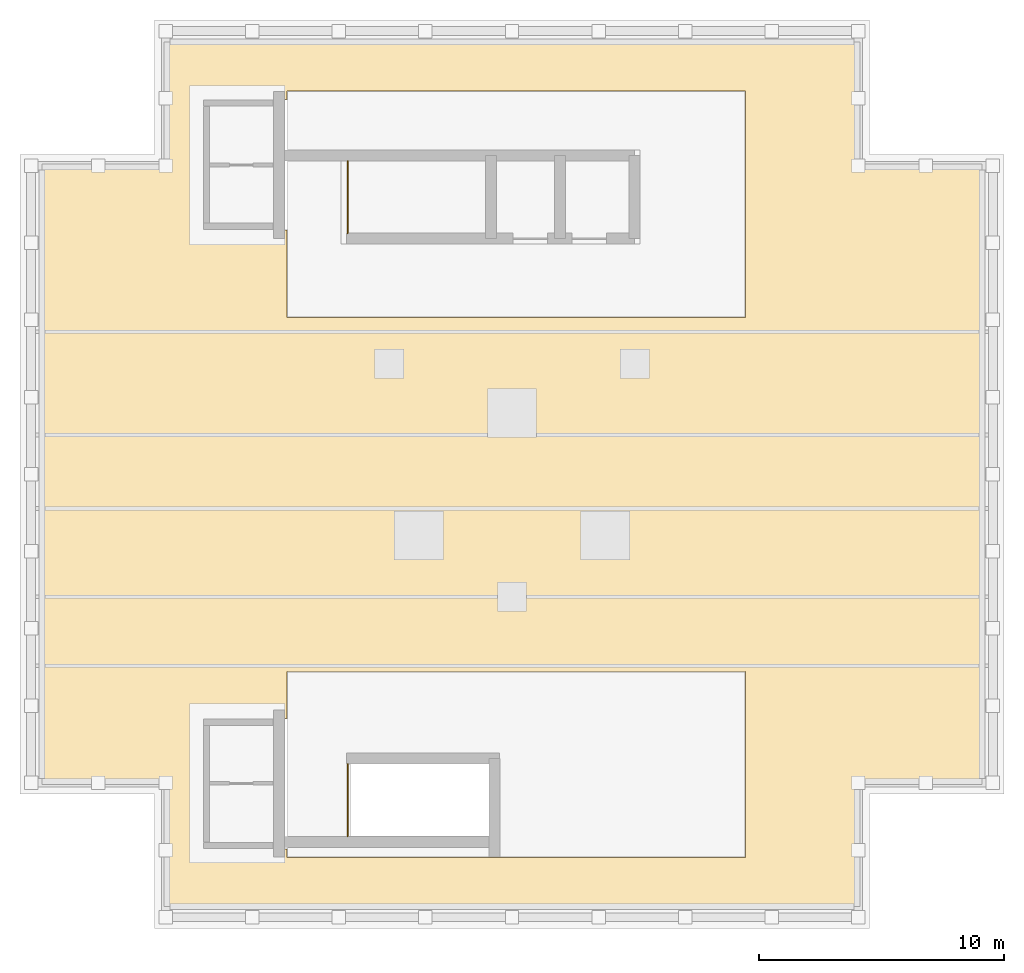
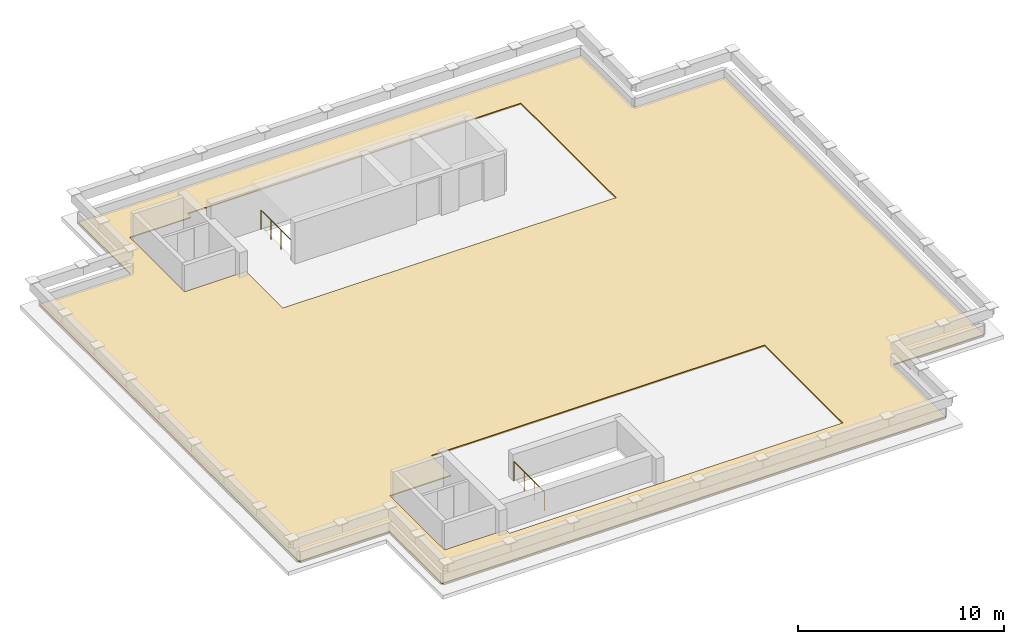
# One storey, part 3 of 3: 2 railings, 1 covering.
"""IFC4 building model written with IfcOpenShell, lengths in metres."""

from ifc_helpers import new_model, si_unit, direction, frame, origin, origin_2d, place, context, subcontext, project, spatial, polyline, circle, outline, extrude, material, layer, layer_set, type_object, element, save


model = new_model("IFC4")

# Units and contexts
model_context = context("Model", 3, precision=1e-05, world=origin(), true_north=direction((0.0, 1.0)))
body_context = subcontext(model_context, "Body", "Model", "MODEL_VIEW")
ifc_project = project(units=[si_unit("LENGTHUNIT", "METRE"), si_unit("AREAUNIT", "SQUARE_METRE"), si_unit("VOLUMEUNIT", "CUBIC_METRE"), si_unit("PLANEANGLEUNIT", "RADIAN"), si_unit("MASSUNIT", "GRAM", prefix="KILO")], contexts=[model_context])

# Site, building, storey
site_placement = place(None, origin())
site = spatial("IfcSite", under=ifc_project, at=site_placement, CompositionType="ELEMENT")
building_placement = place(site_placement, origin())
building = spatial("IfcBuilding", under=site, at=building_placement, Name="Mirazonda Arch Towers", CompositionType="ELEMENT")
storey_placement = place(building_placement, frame((0.0, 0.0, 276.5)))
storey = spatial("IfcBuildingStorey", under=building, at=storey_placement, Name="RF", CompositionType="ELEMENT", Elevation=276.5)

# Covering
ifc_material_1 = material(Name="EPDM Waterproofing Membrane")
ifc_layer = layer(ifc_material_1, 0.06005859375, Name="COV-ROOF-EPDM")
ifc_layer_set = layer_set([ifc_layer], Name="EPDM Waterproofing Membrane")
covering_type = type_object("IfcCoveringType", Name="COV-ROOF-EPDM", PredefinedType="ROOFING", material=ifc_layer_set)
covering_placement = place(storey_placement, origin())
element("IfcCovering", 1, at=covering_placement, inside=storey, type_object=covering_type, Name="T1 Crown Roof EPDM Membrane Covering", PredefinedType="ROOFING", context=body_context, shape_type="SweptSolid", body=[
    extrude(outline(polyline([(6.385009765625, 10.340087890625), (34.614990234375, 10.340087890625), (34.614990234375, 15.425048828125), (39.699951171875, 15.425048828125), (39.699951171875, 40.574951171875), (34.614990234375, 40.574951171875), (34.614990234375, 45.659912109375), (6.385009765625, 45.659912109375), (6.385009765625, 40.574951171875), (1.300048828125, 40.574951171875), (1.300048828125, 15.425048828125), (6.385009765625, 15.425048828125), (6.385009765625, 10.340087890625)]), holes=[polyline([(11.340087890625, 18.0400390625), (11.340087890625, 19.969970703125), (30.02001953125, 19.969970703125), (30.02001953125, 12.3798828125), (11.340087890625, 12.3798828125), (11.340087890625, 12.72998046875), (7.89990234375, 12.72998046875), (7.89990234375, 18.0400390625), (11.340087890625, 18.0400390625)]), polyline([(30.02001953125, 34.3798828125), (11.340087890625, 34.3798828125), (11.340087890625, 37.9599609375), (7.89990234375, 37.9599609375), (7.89990234375, 43.27001953125), (11.340087890625, 43.27001953125), (11.340087890625, 43.6201171875), (30.02001953125, 43.6201171875), (30.02001953125, 34.3798828125)])]), origin(), (0.0, 0.0, 1.0), 0.06005859375),
])

# Railings
ifc_material_2 = material(Name="Architectural Brushed Steel S355", Category="steel")
railing_type = type_object("IfcRailingType", Name="GUARD-STAIR-1120", PredefinedType="GUARDRAIL", material=ifc_material_2)
for number, where, name in (
    (2, (13.800048828125, 37.820068359375, 0.0), "RF ST-T1N top well guard 1"),
    (3, (13.800048828125, 13.25, 0.0), "RF ST-T1S top well guard 1"),
):
    element("IfcRailing", number, at=place(storey_placement, frame(where)), inside=storey, type_object=railing_type, Name=name, PredefinedType="GUARDRAIL", context=body_context, shape_type="SweptSolid", body=[
        extrude(circle(Radius=0.02392578125, at=origin_2d()), frame((0.0, 0.0, 1.1259765625), z_axis=(0.0, 1.0, 0.0), x_axis=(-1.0, 0.0, 0.0)), (0.0, 0.0, 1.0), 2.93994140625),
        extrude(circle(Radius=0.02099609375, at=origin_2d()), origin(), (0.0, 0.0, 1.0), 1.101806640625),
        extrude(circle(Radius=0.02099609375, at=origin_2d()), frame((0.0, 0.97998046875, 0.0)), (0.0, 0.0, 1.0), 1.101806640625),
        extrude(circle(Radius=0.02099609375, at=origin_2d()), frame((0.0, 1.9599609375, 0.0)), (0.0, 0.0, 1.0), 1.101806640625),
        extrude(circle(Radius=0.02099609375, at=origin_2d()), frame((0.0, 2.93994140625, 0.0)), (0.0, 0.0, 1.0), 1.101806640625),
    ])

save(model, "model.ifc")
